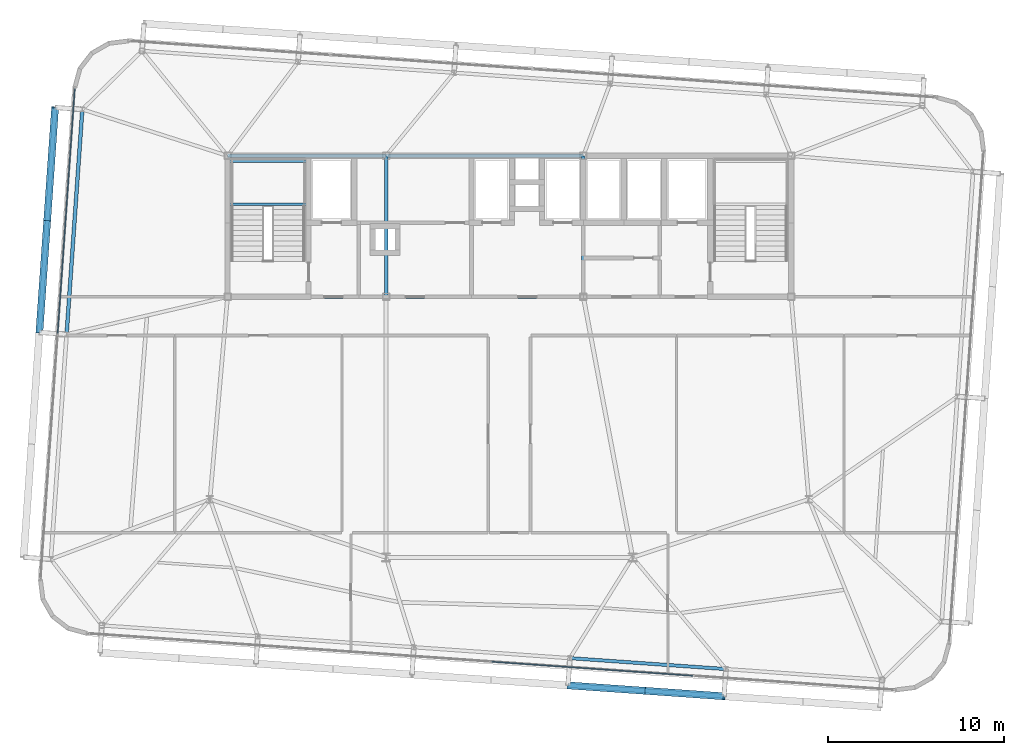
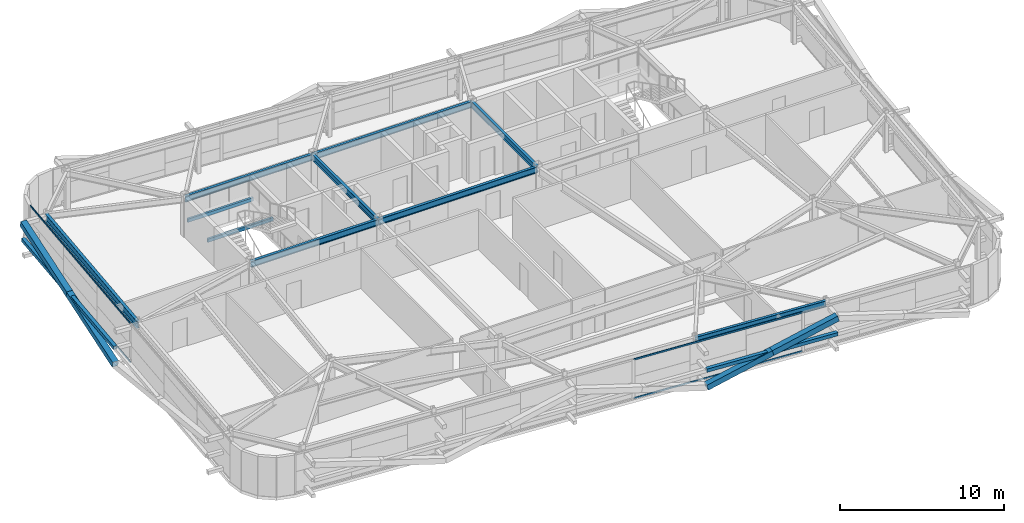
# One storey, part 12 of 39: 10 beams, 10 members, 2 elements without a shape of their own.
"""IFC4 building model written with IfcOpenShell, lengths in metres."""

from ifc_helpers import new_model, si_unit, direction, frame, origin, origin_2d, place, context, subcontext, project, spatial, hollow_rectangle, i_section, extrude, source, transform, mapped, material, layer, layer_set, material_profile, profile_set, type_object, element, aggregate, save


model = new_model("IFC4")

# Units and contexts
model_context = context("Model", 3, precision=1e-05, world=origin(), true_north=direction((0.0, 1.0)))
body_context = subcontext(model_context, "Body", "Model", "MODEL_VIEW")
ifc_project = project(units=[si_unit("LENGTHUNIT", "METRE"), si_unit("AREAUNIT", "SQUARE_METRE"), si_unit("VOLUMEUNIT", "CUBIC_METRE"), si_unit("PLANEANGLEUNIT", "RADIAN"), si_unit("MASSUNIT", "GRAM", prefix="KILO")], contexts=[model_context])

# Site, building, storey
site_placement = place(None, origin())
site = spatial("IfcSite", under=ifc_project, at=site_placement, CompositionType="ELEMENT")
building_placement = place(site_placement, origin())
building = spatial("IfcBuilding", under=site, at=building_placement, Name="Taldren Reach Tower", CompositionType="ELEMENT")
storey_placement = place(building_placement, frame((0.0, 0.0, 129.85009765625)))
storey = spatial("IfcBuildingStorey", under=building, at=storey_placement, Name="L39", CompositionType="ELEMENT", Elevation=129.85009765625)

# Beams
ifc_material_1 = material(Name="Steel Gr 350 (350PLUS)", Category="steel")
ifc_material_profile_1 = material_profile(ifc_material_1, i_section(OverallWidth=0.19091796875, OverallDepth=0.4599609375, WebThickness=0.010009765625, FlangeThickness=0.01611328125, at=origin_2d()), Name="460UB82.1")
ifc_profile_set_1 = profile_set([ifc_material_profile_1], Name="Steel Gr 350 (350PLUS)")
beam_type_1 = type_object("IfcBeamType", Name="BM-UB460A", PredefinedType="BEAM", material=ifc_profile_set_1)
shared_shape_1 = source(origin(), body_context, "Body", "SweptSolid", [
    extrude(i_section(OverallWidth=0.19091796875, OverallDepth=0.4599609375, WebThickness=0.010009765625, FlangeThickness=0.01611328125, at=origin_2d()), origin(), (0.0, 0.0, 1.0), 9.0),
])
for number, where, z_axis, x_axis, name in (
    (1, (19.0, 24.0, 2.699951171875), (1.0, 0.0, 0.0), (0.0, 1.0, 0.0), "Core-spine girder L39-SP01"),
    (2, (19.0, 32.0, 2.699951171875), (1.0, 0.0, 0.0), (0.0, 1.0, 0.0), "Core-spine girder L39-SP04"),
):
    element("IfcBeam", number, at=place(storey_placement, frame(where, z_axis=z_axis, x_axis=x_axis)), inside=storey, type_object=beam_type_1, Name=name, PredefinedType="BEAM", context=body_context, shape_type="MappedRepresentation", body=[
        mapped(shared_shape_1, transform((0.0, 0.0, 0.0), scale=1.0)),
    ])
shared_shape_2 = source(origin(), body_context, "Body", "SweptSolid", [
    extrude(i_section(OverallWidth=0.19091796875, OverallDepth=0.4599609375, WebThickness=0.010009765625, FlangeThickness=0.01611328125, at=origin_2d()), origin(), (0.0, 0.0, 1.0), 11.199951171875),
])
for number, where, z_axis, x_axis, name in (
    (3, (28.0, 24.0, 2.699951171875), (1.0, 0.0, 0.0), (0.0, 1.0, 0.0), "Core-spine girder L39-SP02"),
    (4, (28.0, 32.0, 2.699951171875), (1.0, 0.0, 0.0), (0.0, 1.0, 0.0), "Core-spine girder L39-SP05"),
):
    element("IfcBeam", number, at=place(storey_placement, frame(where, z_axis=z_axis, x_axis=x_axis)), inside=storey, type_object=beam_type_1, Name=name, PredefinedType="BEAM", context=body_context, shape_type="MappedRepresentation", body=[
        mapped(shared_shape_2, transform((0.0, 0.0, 0.0), scale=1.0)),
    ])
shared_shape_3 = source(origin(), body_context, "Body", "SweptSolid", [
    extrude(i_section(OverallWidth=0.19091796875, OverallDepth=0.4599609375, WebThickness=0.010009765625, FlangeThickness=0.01611328125, at=origin_2d()), origin(), (0.0, 0.0, 1.0), 8.0),
])
for number, where, z_axis, x_axis, name in (
    (5, (28.0, 24.0, 2.699951171875), (0.0, 1.0, 0.0), (-1.0, 0.0, 0.0), "Core-spine girder L39-SP07"),
    (6, (39.199951171875, 24.0, 2.699951171875), (0.0, 1.0, 0.0), (-1.0, 0.0, 0.0), "Core-spine girder L39-SP08"),
):
    element("IfcBeam", number, at=place(storey_placement, frame(where, z_axis=z_axis, x_axis=x_axis)), inside=storey, type_object=beam_type_1, Name=name, PredefinedType="BEAM", context=body_context, shape_type="MappedRepresentation", body=[
        mapped(shared_shape_3, transform((0.0, 0.0, 0.0), scale=1.0)),
    ])
ifc_material_profile_2 = material_profile(ifc_material_1, i_section(OverallWidth=0.18994140625, OverallDepth=0.4541015625, WebThickness=0.008544921875, FlangeThickness=0.0126953125, at=origin_2d()), Name="460UB67.1")
ifc_profile_set_2 = profile_set([ifc_material_profile_2], Name="Steel Gr 350 (350PLUS)")
beam_type_2 = type_object("IfcBeamType", Name="SP-UB460B", PredefinedType="SPANDREL", material=ifc_profile_set_2)
shared_shape_4 = source(origin(), body_context, "Body", "SweptSolid", [
    extrude(i_section(OverallWidth=0.18994140625, OverallDepth=0.4541015625, WebThickness=0.008544921875, FlangeThickness=0.0126953125, at=origin_2d()), origin(), (0.0, 0.0, 1.0), 8.880126953125),
])
beam_1_placement = place(storey_placement, frame((38.438720703125, 3.480224609375, 2.702880859375), z_axis=(0.997562566276, -0.06977769246, 0.0), x_axis=(0.06977769246, 0.997562566276, 0.0)))
element("IfcBeam", 7, at=beam_1_placement, inside=storey, type_object=beam_type_2, Name="Perimeter spandrel B3 S4-S5 L39", PredefinedType="SPANDREL", context=body_context, shape_type="MappedRepresentation", body=[
    mapped(shared_shape_4, transform((0.0, 0.0, 0.0), scale=1.0)),
])
ifc_material_profile_3 = material_profile(ifc_material_1, i_section(OverallWidth=0.208984375, OverallDepth=0.528076171875, WebThickness=0.009521484375, FlangeThickness=0.01318359375, at=origin_2d()), Name="530UB82.0")
ifc_profile_set_3 = profile_set([ifc_material_profile_3], Name="Steel Gr 350 (350PLUS)")
beam_type_3 = type_object("IfcBeamType", Name="SP-UB530B", PredefinedType="SPANDREL", material=ifc_profile_set_3)
shared_shape_5 = source(origin(), body_context, "Body", "SweptSolid", [
    extrude(i_section(OverallWidth=0.208984375, OverallDepth=0.528076171875, WebThickness=0.009521484375, FlangeThickness=0.01318359375, at=origin_2d()), origin(), (0.0, 0.0, 1.0), 12.800048828125),
])
beam_2_placement = place(storey_placement, frame((10.754638671875, 34.63720703125, 2.666015625), z_axis=(-0.069751876777, -0.9975643717, 0.0), x_axis=(0.9975643717, -0.069751876777, 0.0)))
element("IfcBeam", 8, at=beam_2_placement, inside=storey, type_object=beam_type_3, Name="Perimeter spandrel B3 W3-W2 L39", PredefinedType="SPANDREL", context=body_context, shape_type="MappedRepresentation", body=[
    mapped(shared_shape_5, transform((0.0, 0.0, 0.0), scale=1.0)),
])

# Members
ifc_material_2 = material(Name="Steel Gr 350 (C350L0)", Category="steel")
ifc_material_profile_4 = material_profile(ifc_material_2, hollow_rectangle(XDim=0.25, YDim=0.25, WallThickness=0.010009765625, at=origin_2d()), Name="250x250x10.0SHS")
ifc_profile_set_4 = profile_set([ifc_material_profile_4], Name="Steel Gr 350 (C350L0)")
member_type_1 = type_object("IfcMemberType", Name="MB-POST250", PredefinedType="POST", material=ifc_profile_set_4)
shared_shape_6 = source(origin(), body_context, "Body", "SweptSolid", [
    extrude(hollow_rectangle(XDim=0.25, YDim=0.25, WallThickness=0.010009765625, at=origin_2d()), origin(), (0.0, 0.0, 1.0), 8.880126953125),
])
member_1_placement = place(storey_placement, frame((38.33056640625, 1.933837890625, 1.434814453125), z_axis=(0.997564479639, -0.069750333063, 0.0), x_axis=(0.069750333063, 0.997564479639, 0.0)))
element("IfcMember", 9, at=member_1_placement, inside=storey, type_object=member_type_1, Name="Exoskeleton mid-height ring chord B3-S4 L39", PredefinedType="POST", context=body_context, shape_type="MappedRepresentation", body=[
    mapped(shared_shape_6, transform((0.0, 0.0, 0.0), scale=1.0)),
])
shared_shape_7 = source(origin(), body_context, "Body", "SweptSolid", [
    extrude(hollow_rectangle(XDim=0.25, YDim=0.25, WallThickness=0.010009765625, at=origin_2d()), origin(), (0.0, 0.0, 1.0), 12.800048828125),
])
member_2_placement = place(storey_placement, frame((8.3154296875, 21.9765625, 1.434814453125), z_axis=(0.069770857464, 0.997563044348, 0.0), x_axis=(-0.997563044348, 0.069770857464, 0.0)))
element("IfcMember", 10, at=member_2_placement, inside=storey, type_object=member_type_1, Name="Exoskeleton mid-height ring chord B3-W2 L39", PredefinedType="POST", context=body_context, shape_type="MappedRepresentation", body=[
    mapped(shared_shape_7, transform((0.0, 0.0, 0.0), scale=1.0)),
])
ifc_material_3 = material(Name="Steel Gr 450 (C450L0)", Category="steel")
ifc_material_profile_5 = material_profile(ifc_material_3, hollow_rectangle(XDim=0.409912109375, YDim=0.409912109375, WallThickness=0.01611328125, at=origin_2d()), Name="410x410x16.0SHS")
ifc_profile_set_5 = profile_set([ifc_material_profile_5], Name="Steel Gr 450 (C450L0)")
member_type_2 = type_object("IfcMemberType", Name="MB-EXO406", PredefinedType="BRACE", material=ifc_profile_set_5)
shared_shape_8 = source(origin(), body_context, "Body", "SweptSolid", [
    extrude(hollow_rectangle(XDim=0.409912109375, YDim=0.409912109375, WallThickness=0.01611328125, at=origin_2d()), origin(), (0.0, 0.0, 1.0), 4.603271484375),
])
for number, where, z_axis, x_axis, name in (
    (11, (38.33056640625, 1.933837890625, 0.219970703125), (0.962199253371, -0.067251055742, 0.263912660389), (0.069722973508, 0.997566392259, 0.0), "Exoskeleton Diagrid Brace B3-S4 L39"),
    (12, (42.759765625, 1.624267578125, 1.434814453125), (0.962182351074, -0.067302910567, 0.263961060594), (0.06977769246, 0.997562566276, 0.0), "Exoskeleton Diagrid Brace B3-S4 L39"),
):
    element("IfcMember", number, at=place(storey_placement, frame(where, z_axis=z_axis, x_axis=x_axis)), inside=storey, type_object=member_type_2, Name=name, PredefinedType="BRACE", context=body_context, shape_type="MappedRepresentation", body=[
        mapped(shared_shape_8, transform((0.0, 0.0, 0.0), scale=1.0)),
    ])
shared_shape_9 = source(origin(), body_context, "Body", "SweptSolid", [
    extrude(hollow_rectangle(XDim=0.409912109375, YDim=0.409912109375, WallThickness=0.01611328125, at=origin_2d()), origin(), (0.0, 0.0, 1.0), 6.514404296875),
])
member_3_placement = place(storey_placement, frame((8.761962890625, 28.36083984375, 1.434814453125), z_axis=(0.068545126831, 0.980056649402, 0.186522195865), x_axis=(-0.997563137195, 0.069769529958, 0.0)))
element("IfcMember", 13, at=member_3_placement, inside=storey, type_object=member_type_2, Name="Exoskeleton Diagrid Brace B3-W2 L39", PredefinedType="BRACE", context=body_context, shape_type="MappedRepresentation", body=[
    mapped(shared_shape_9, transform((0.0, 0.0, 0.0), scale=1.0)),
])
shared_shape_10 = source(origin(), body_context, "Body", "SweptSolid", [
    extrude(hollow_rectangle(XDim=0.409912109375, YDim=0.409912109375, WallThickness=0.01611328125, at=origin_2d()), origin(), (0.0, 0.0, 1.0), 6.51416015625),
])
member_4_placement = place(storey_placement, frame((8.3154296875, 21.9765625, 0.219970703125), z_axis=(0.068548123702, 0.980062020128, 0.186492872358), x_axis=(-0.997562951496, 0.069772185021, 0.0)))
element("IfcMember", 14, at=member_4_placement, inside=storey, type_object=member_type_2, Name="Exoskeleton Diagrid Brace B3-W2 L39", PredefinedType="BRACE", context=body_context, shape_type="MappedRepresentation", body=[
    mapped(shared_shape_10, transform((0.0, 0.0, 0.0), scale=1.0)),
])

# Curtain wall, members
ifc_material_4 = material(Name="Aluminium and Low-E Glass Unitised System", Category="aluminium")
ifc_layer = layer(ifc_material_4, 0.159912109375)
ifc_layer_set = layer_set([ifc_layer], Name="Aluminium and Low-E Glass Unitised System")
curtain_wall_type = type_object("IfcCurtainWallType", Name="CW-SYS-4", PredefinedType="NOTDEFINED", material=ifc_layer_set)
curtain_wall_1_placement = place(storey_placement, origin())
curtain_wall_1 = element("IfcCurtainWall", 15, at=curtain_wall_1_placement, inside=storey, type_object=curtain_wall_type, Name="Unitised curtain wall CW-L39-S", PredefinedType="NOTDEFINED")
ifc_material_5 = material(Name="Anodised Aluminium 6063-T6", Category="aluminium")
ifc_material_profile_6 = material_profile(ifc_material_5, hollow_rectangle(XDim=0.054931640625, YDim=0.1201171875, WallThickness=0.0029296875, at=origin_2d()), Name="ALU-120x55x3RHS")
ifc_profile_set_6 = profile_set([ifc_material_profile_6], Name="Anodised Aluminium 6063-T6")
member_type_3 = type_object("IfcMemberType", Name="CW-TRN-135", PredefinedType="USERDEFINED", material=ifc_profile_set_6)
shared_shape_11 = source(origin(), body_context, "Body", "SweptSolid", [
    extrude(hollow_rectangle(XDim=0.054931640625, YDim=0.1201171875, WallThickness=0.0029296875, at=origin_2d()), origin(), (0.0, 0.0, 1.0), 11.429931640625),
])
member_5_placement = place(storey_placement, frame((34.0087890625, 3.278564453125, 0.02734375), z_axis=(0.997563740938, -0.069760897114, 0.0), x_axis=(0.069760897114, 0.997563740938, 0.0)))
member_5 = element("IfcMember", 16, at=member_5_placement, type_object=member_type_3, Name="CW-4 transom 3.1", ObjectType="TRANSOM", PredefinedType="USERDEFINED", context=body_context, shape_type="MappedRepresentation", body=[
    mapped(shared_shape_11, transform((0.0, 0.0, 0.0), scale=1.0)),
])
member_6_placement = place(storey_placement, frame((34.0087890625, 3.278564453125, 2.90234375), z_axis=(0.997563740938, -0.069760897114, 0.0), x_axis=(0.069760897114, 0.997563740938, 0.0)))
member_6 = element("IfcMember", 17, at=member_6_placement, type_object=member_type_3, Name="CW-4 transom 3.2", ObjectType="TRANSOM", PredefinedType="USERDEFINED", context=body_context, shape_type="MappedRepresentation", body=[
    mapped(shared_shape_11, transform((0.0, 0.0, 0.0), scale=1.0)),
])
aggregate(curtain_wall_1, [member_5, member_6])

curtain_wall_2_placement = place(storey_placement, origin())
curtain_wall_2 = element("IfcCurtainWall", 18, at=curtain_wall_2_placement, inside=storey, type_object=curtain_wall_type, Name="Unitised curtain wall CW-L39-W", PredefinedType="NOTDEFINED")
shared_shape_12 = source(origin(), body_context, "Body", "SweptSolid", [
    extrude(hollow_rectangle(XDim=0.054931640625, YDim=0.1201171875, WallThickness=0.0029296875, at=origin_2d()), origin(), (0.0, 0.0, 1.0), 13.895263671875),
])
member_7_placement = place(storey_placement, frame((10.32470703125, 35.800048828125, 0.02734375), z_axis=(-0.069753594456, -0.997564251595, 0.0), x_axis=(0.997564251595, -0.069753594456, 0.0)))
member_7 = element("IfcMember", 19, at=member_7_placement, type_object=member_type_3, Name="CW-4 transom 1.1", ObjectType="TRANSOM", PredefinedType="USERDEFINED", context=body_context, shape_type="MappedRepresentation", body=[
    mapped(shared_shape_12, transform((0.0, 0.0, 0.0), scale=1.0)),
])
member_8_placement = place(storey_placement, frame((10.32470703125, 35.800048828125, 2.90234375), z_axis=(-0.069753594456, -0.997564251595, 0.0), x_axis=(0.997564251595, -0.069753594456, 0.0)))
member_8 = element("IfcMember", 20, at=member_8_placement, type_object=member_type_3, Name="CW-4 transom 1.2", ObjectType="TRANSOM", PredefinedType="USERDEFINED", context=body_context, shape_type="MappedRepresentation", body=[
    mapped(shared_shape_12, transform((0.0, 0.0, 0.0), scale=1.0)),
])
aggregate(curtain_wall_2, [member_7, member_8])

# Beams
ifc_material_profile_7 = material_profile(ifc_material_2, hollow_rectangle(XDim=0.14990234375, YDim=0.25, WallThickness=0.009033203125, at=origin_2d()), Name="250x150x9.0RHS")
ifc_profile_set_7 = profile_set([ifc_material_profile_7], Name="Steel Gr 350 (C350L0)")
beam_type_4 = type_object("IfcBeamType", Name="LN-RHS250", PredefinedType="LINTEL", material=ifc_profile_set_7)
shared_shape_13 = source(origin(), body_context, "Body", "SweptSolid", [
    extrude(hollow_rectangle(XDim=0.14990234375, YDim=0.25, WallThickness=0.009033203125, at=origin_2d()), origin(), (0.0, 0.0, 1.0), 4.60009765625),
])
for number, where, z_axis, x_axis, name in (
    (21, (19.0, 29.2548828125, 1.27001953125), (1.0, 0.0, 0.0), (0.0, 1.0, 0.0), "Stair half-landing support beam ST1-L39-1"),
    (22, (19.0, 31.699951171875, 1.27001953125), (1.0, 0.0, 0.0), (0.0, 1.0, 0.0), "Stair half-landing support beam ST1-L39-2"),
):
    element("IfcBeam", number, at=place(storey_placement, frame(where, z_axis=z_axis, x_axis=x_axis)), inside=storey, type_object=beam_type_4, Name=name, PredefinedType="LINTEL", context=body_context, shape_type="MappedRepresentation", body=[
        mapped(shared_shape_13, transform((0.0, 0.0, 0.0), scale=1.0)),
    ])

save(model, "model.ifc")
